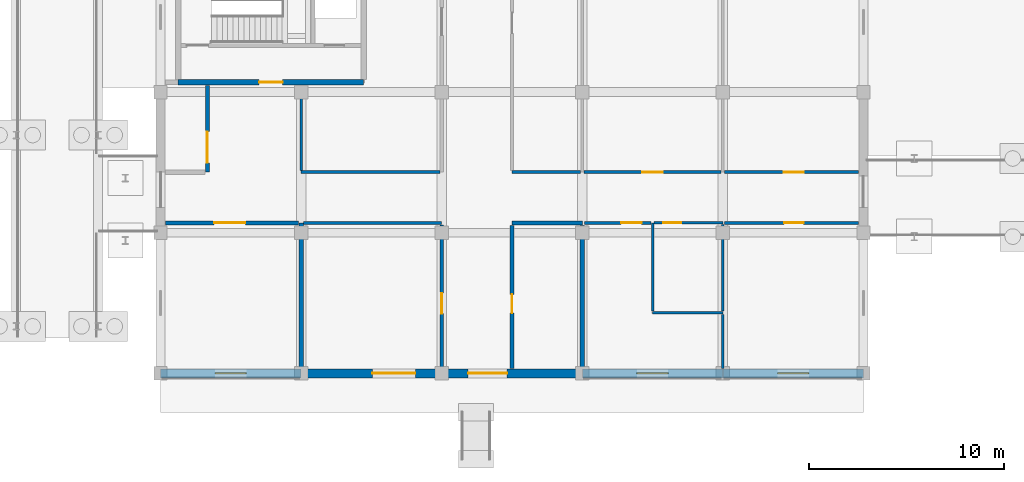
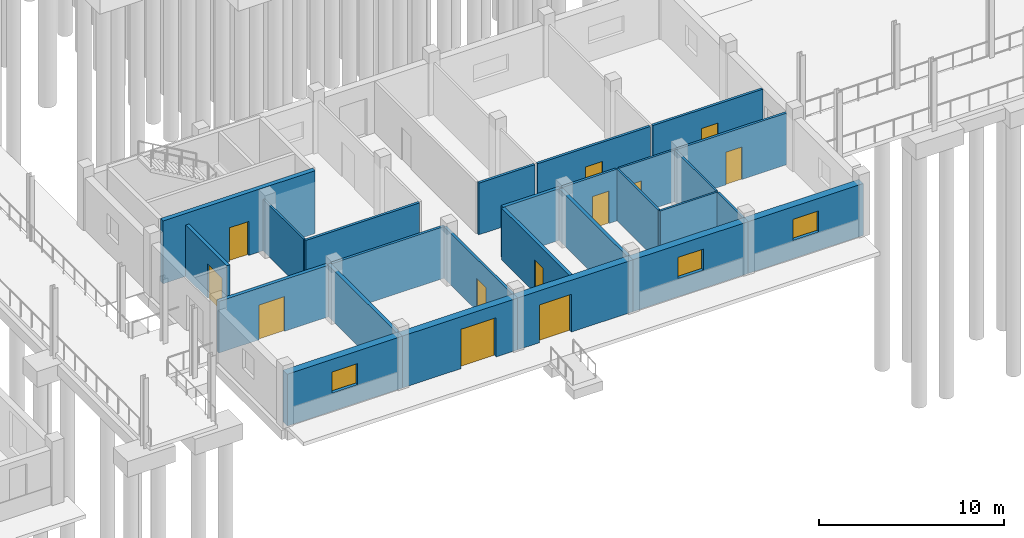
# One storey, part 75 of 98: 26 walls, 12 doors, 3 windows, 15 openings.
"""IFC4 building model written with IfcOpenShell, lengths in metres."""

from ifc_helpers import new_model, si_unit, direction, frame, frame_2d, origin, place, context, subcontext, project, spatial, rectangle, extrude, material, layer, layer_set, type_object, element, fill, save


model = new_model("IFC4")

# Units and contexts
model_context = context("Model", 3, precision=1e-05, world=origin(), true_north=direction((0.0, 1.0)))
body_context = subcontext(model_context, "Body", "Model", "MODEL_VIEW")
ifc_project = project(units=[si_unit("LENGTHUNIT", "METRE"), si_unit("AREAUNIT", "SQUARE_METRE"), si_unit("VOLUMEUNIT", "CUBIC_METRE"), si_unit("PLANEANGLEUNIT", "RADIAN"), si_unit("MASSUNIT", "GRAM", prefix="KILO")], contexts=[model_context])

# Site, building, storey
site_placement = place(None, origin())
site = spatial("IfcSite", under=ifc_project, at=site_placement, CompositionType="ELEMENT")
building_placement = place(site_placement, origin())
building = spatial("IfcBuilding", under=site, at=building_placement, Name="Zornivar Specialist Clinic", CompositionType="ELEMENT")
storey_placement = place(building_placement, origin())
storey = spatial("IfcBuildingStorey", under=building, at=storey_placement, Name="L00", CompositionType="ELEMENT", Elevation=0.0)

# Wall, opening, window
ifc_material_1 = material(Name="Barium-shielded concrete C35/45", Category="concrete")
ifc_layer_1 = layer(ifc_material_1, 0.4599609375)
ifc_layer_set_1 = layer_set([ifc_layer_1], Name="Barium-shielded concrete C35/45")
wall_type_1 = type_object("IfcWallType", Name="EW-IMG-SHIELD-460", PredefinedType="SOLIDWALL", material=ifc_layer_set_1)
wall_1_placement = place(storey_placement, frame((57.60009765625, 0.0, 0.0), z_axis=(0.0, 0.0, 1.0), x_axis=(1.0, 0.0, 0.0)))
wall_1 = element("IfcWall", 1, at=wall_1_placement, inside=storey, type_object=wall_type_1, Name="ew:V3:L00:00", PredefinedType="SOLIDWALL", context=body_context, shape_type="SweptSolid", body=[
    extrude(rectangle(XDim=7.199951171875, YDim=0.4599609375, at=frame_2d((3.60009765625, 0.0))), origin(), (0.0, 0.0, 1.0), 3.429931640625),
])
opening_1_placement = place(wall_1_placement, frame((2.800048828125, 0.0, 1.199951171875)))
opening_1 = element("IfcOpeningElement", 2, at=opening_1_placement, cuts=wall_1, Name="Opening W-12", PredefinedType="OPENING", context=body_context, shape_type="SweptSolid", body=[
    extrude(rectangle(XDim=1.60009765625, YDim=1.39990234375, at=frame_2d((0.800048828125, 0.699951171875))), frame((0.0, 0.239990234375, 0.0), z_axis=(0.0, -1.0, 0.0), x_axis=(1.0, 0.0, 0.0)), (0.0, 0.0, 1.0), 0.47998046875),
])
ifc_material_2 = material(Name="Triple-Glazed Aluminium-Timber Window Glass", Category="wood")
window_type = type_object("IfcWindowType", Name="WIN-IMG-SOUTH-1600x1400", PartitioningType="SINGLE_PANEL", PredefinedType="WINDOW", material=ifc_material_2)
window_1_placement = place(opening_1_placement, origin())
window_1 = element("IfcWindow", 3, at=window_1_placement, inside=storey, type_object=window_type, Name="win:V3:L00:00", OverallHeight=1.39990234375, OverallWidth=1.60009765625, PartitioningType="SINGLE_PANEL", PredefinedType="WINDOW", context=body_context, shape_type="SweptSolid", body=[
    extrude(rectangle(XDim=1.60009765625, YDim=1.39990234375, at=frame_2d((0.800048828125, 0.699951171875))), frame((0.0, 0.030029296875, 0.0), z_axis=(0.0, -1.0, 0.0), x_axis=(1.0, 0.0, 0.0)), (0.0, 0.0, 1.0), 0.06005859375),
])
fill(opening_1, window_1)

# Wall, opening, door
wall_2_placement = place(storey_placement, frame((64.800048828125, 0.0, 0.0), z_axis=(0.0, 0.0, 1.0), x_axis=(1.0, 0.0, 0.0)))
wall_2 = element("IfcWall", 4, at=wall_2_placement, inside=storey, type_object=wall_type_1, Name="ew:V3:L00:01", PredefinedType="SOLIDWALL", context=body_context, shape_type="SweptSolid", body=[
    extrude(rectangle(XDim=7.199951171875, YDim=0.4599609375, at=frame_2d((3.60009765625, 0.0))), origin(), (0.0, 0.0, 1.0), 3.429931640625),
])
opening_2_placement = place(wall_2_placement, frame((3.64990234375, 0.0, 0.0)))
opening_2 = element("IfcOpeningElement", 5, at=opening_2_placement, cuts=wall_2, Name="Opening ED-01", PredefinedType="OPENING", context=body_context, shape_type="SweptSolid", body=[
    extrude(rectangle(XDim=2.199951171875, YDim=2.60009765625, at=frame_2d((1.10009765625, 1.300048828125))), frame((0.0, 0.239990234375, 0.0), z_axis=(0.0, -1.0, 0.0), x_axis=(1.0, 0.0, 0.0)), (0.0, 0.0, 1.0), 0.47998046875),
])
ifc_material_3 = material(Name="Thermally Broken Glazed Aluminium Door", Category="aluminium")
door_type_1 = type_object("IfcDoorType", Name="ED-MAIN-2200x2600", OperationType="NOTDEFINED", PredefinedType="DOOR", material=ifc_material_3)
door_1_placement = place(opening_2_placement, origin())
door_1 = element("IfcDoor", 6, at=door_1_placement, inside=storey, type_object=door_type_1, Name="door:V3:L00:01", OperationType="DOUBLE_DOOR_SINGLE_SWING", OverallHeight=2.60009765625, OverallWidth=2.199951171875, PredefinedType="DOOR", context=body_context, shape_type="SweptSolid", body=[
    extrude(rectangle(XDim=2.199951171875, YDim=2.60009765625, at=frame_2d((1.10009765625, 1.300048828125))), frame((0.0, 0.02490234375, 0.0), z_axis=(0.0, -1.0, 0.0), x_axis=(1.0, 0.0, 0.0)), (0.0, 0.0, 1.0), 0.050048828125),
])
fill(opening_2, door_1)

wall_3_placement = place(storey_placement, frame((72.0, 0.0, 0.0), z_axis=(0.0, 0.0, 1.0), x_axis=(1.0, 0.0, 0.0)))
wall_3 = element("IfcWall", 7, at=wall_3_placement, inside=storey, type_object=wall_type_1, Name="ew:V3:L00:02", PredefinedType="SOLIDWALL", context=body_context, shape_type="SweptSolid", body=[
    extrude(rectangle(XDim=7.199951171875, YDim=0.4599609375, at=frame_2d((3.60009765625, 0.0))), origin(), (0.0, 0.0, 1.0), 3.429931640625),
])
opening_3_placement = place(wall_3_placement, frame((1.35009765625, 0.0, 0.0)))
opening_3 = element("IfcOpeningElement", 8, at=opening_3_placement, cuts=wall_3, Name="Opening ED-02", PredefinedType="OPENING", context=body_context, shape_type="SweptSolid", body=[
    extrude(rectangle(XDim=2.0, YDim=2.5, at=frame_2d((1.0, 1.25))), frame((0.0, 0.239990234375, 0.0), z_axis=(0.0, -1.0, 0.0), x_axis=(1.0, 0.0, 0.0)), (0.0, 0.0, 1.0), 0.47998046875),
])
ifc_material_4 = material(Name="Thermally Broken Glazed Aluminium Door", Category="aluminium")
door_type_2 = type_object("IfcDoorType", Name="ED-PORTAL-2000x2500", OperationType="NOTDEFINED", PredefinedType="DOOR", material=ifc_material_4)
door_2_placement = place(opening_3_placement, frame((2.0, 0.0, 0.0), z_axis=(0.0, 0.0, 1.0), x_axis=(-1.0, 0.0, 0.0)))
door_2 = element("IfcDoor", 9, at=door_2_placement, inside=storey, type_object=door_type_2, Name="door:V3:L00:02", OperationType="DOUBLE_DOOR_SINGLE_SWING", OverallHeight=2.5, OverallWidth=2.0, PredefinedType="DOOR", context=body_context, shape_type="SweptSolid", body=[
    extrude(rectangle(XDim=2.0, YDim=2.5, at=frame_2d((1.0, 1.25))), frame((0.0, 0.02490234375, 0.0), z_axis=(0.0, -1.0, 0.0), x_axis=(1.0, 0.0, 0.0)), (0.0, 0.0, 1.0), 0.050048828125),
])
fill(opening_3, door_2)

# Wall, opening, window
wall_4_placement = place(storey_placement, frame((79.199951171875, 0.0, 0.0), z_axis=(0.0, 0.0, 1.0), x_axis=(1.0, 0.0, 0.0)))
wall_4 = element("IfcWall", 10, at=wall_4_placement, inside=storey, type_object=wall_type_1, Name="ew:V3:L00:03", PredefinedType="SOLIDWALL", context=body_context, shape_type="SweptSolid", body=[
    extrude(rectangle(XDim=7.199951171875, YDim=0.4599609375, at=frame_2d((3.60009765625, 0.0))), origin(), (0.0, 0.0, 1.0), 3.429931640625),
])
opening_4_placement = place(wall_4_placement, frame((2.800048828125, 0.0, 1.199951171875)))
opening_4 = element("IfcOpeningElement", 11, at=opening_4_placement, cuts=wall_4, Name="Opening W-12", PredefinedType="OPENING", context=body_context, shape_type="SweptSolid", body=[
    extrude(rectangle(XDim=1.60009765625, YDim=1.39990234375, at=frame_2d((0.800048828125, 0.699951171875))), frame((0.0, 0.239990234375, 0.0), z_axis=(0.0, -1.0, 0.0), x_axis=(1.0, 0.0, 0.0)), (0.0, 0.0, 1.0), 0.47998046875),
])
window_2_placement = place(opening_4_placement, origin())
window_2 = element("IfcWindow", 12, at=window_2_placement, inside=storey, type_object=window_type, Name="win:V3:L00:03", OverallHeight=1.39990234375, OverallWidth=1.60009765625, PartitioningType="SINGLE_PANEL", PredefinedType="WINDOW", context=body_context, shape_type="SweptSolid", body=[
    extrude(rectangle(XDim=1.60009765625, YDim=1.39990234375, at=frame_2d((0.800048828125, 0.699951171875))), frame((0.0, 0.030029296875, 0.0), z_axis=(0.0, -1.0, 0.0), x_axis=(1.0, 0.0, 0.0)), (0.0, 0.0, 1.0), 0.06005859375),
])
fill(opening_4, window_2)

wall_5_placement = place(storey_placement, frame((86.39990234375, 0.0, 0.0), z_axis=(0.0, 0.0, 1.0), x_axis=(1.0, 0.0, 0.0)))
wall_5 = element("IfcWall", 13, at=wall_5_placement, inside=storey, type_object=wall_type_1, Name="ew:V3:L00:04", PredefinedType="SOLIDWALL", context=body_context, shape_type="SweptSolid", body=[
    extrude(rectangle(XDim=7.2001953125, YDim=0.4599609375, at=frame_2d((3.60009765625, 0.0))), origin(), (0.0, 0.0, 1.0), 3.429931640625),
])
opening_5_placement = place(wall_5_placement, frame((2.800048828125, 0.0, 1.199951171875)))
opening_5 = element("IfcOpeningElement", 14, at=opening_5_placement, cuts=wall_5, Name="Opening W-12", PredefinedType="OPENING", context=body_context, shape_type="SweptSolid", body=[
    extrude(rectangle(XDim=1.60009765625, YDim=1.39990234375, at=frame_2d((0.800048828125, 0.699951171875))), frame((0.0, 0.239990234375, 0.0), z_axis=(0.0, -1.0, 0.0), x_axis=(1.0, 0.0, 0.0)), (0.0, 0.0, 1.0), 0.47998046875),
])
window_3_placement = place(opening_5_placement, origin())
window_3 = element("IfcWindow", 15, at=window_3_placement, inside=storey, type_object=window_type, Name="win:V3:L00:04", OverallHeight=1.39990234375, OverallWidth=1.60009765625, PartitioningType="SINGLE_PANEL", PredefinedType="WINDOW", context=body_context, shape_type="SweptSolid", body=[
    extrude(rectangle(XDim=1.60009765625, YDim=1.39990234375, at=frame_2d((0.800048828125, 0.699951171875))), frame((0.0, 0.030029296875, 0.0), z_axis=(0.0, -1.0, 0.0), x_axis=(1.0, 0.0, 0.0)), (0.0, 0.0, 1.0), 0.06005859375),
])
fill(opening_5, window_3)

# Walls
ifc_material_5 = material(Name="Acoustic Clinical Stud Partition")
ifc_layer_2 = layer(ifc_material_5, 0.139892578125)
ifc_layer_set_2 = layer_set([ifc_layer_2], Name="Acoustic Clinical Stud Partition")
wall_type_2 = type_object("IfcWallType", Name="IW-CLIN-140", PredefinedType="PARTITIONING", material=ifc_layer_set_2)
wall_6_placement = place(storey_placement, frame((86.39990234375, 3.02099609375, 0.0), z_axis=(0.0, 0.0, 1.0), x_axis=(0.0, -1.0, 0.0)))
element("IfcWall", 16, at=wall_6_placement, inside=storey, type_object=wall_type_2, Name="iw:L00:133", PredefinedType="PARTITIONING", context=body_context, shape_type="SweptSolid", body=[
    extrude(rectangle(XDim=2.77587890625, YDim=0.139892578125, at=frame_2d((1.387939453125, 0.0))), origin(), (0.0, 0.0, 1.0), 3.409912109375),
])
ifc_material_6 = material(Name="Gypsum Fire-Rated Double Stud Partition")
ifc_layer_3 = layer(ifc_material_6, 0.159912109375)
ifc_layer_set_3 = layer_set([ifc_layer_3], Name="Gypsum Fire-Rated Double Stud Partition")
wall_type_3 = type_object("IfcWallType", Name="IW-CORR-EI60-160", PredefinedType="PARTITIONING", material=ifc_layer_set_3)
wall_7_placement = place(storey_placement, frame((64.924072265625, 7.699951171875, 0.0), z_axis=(0.0, 0.0, 1.0), x_axis=(1.0, 0.0, 0.0)))
element("IfcWall", 17, at=wall_7_placement, inside=storey, type_object=wall_type_3, Name="iw:L00:117", PredefinedType="PARTITIONING", context=body_context, shape_type="SweptSolid", body=[
    extrude(rectangle(XDim=7.075927734375, YDim=0.159912109375, at=frame_2d((3.5380859375, 0.0))), origin(), (0.0, 0.0, 1.0), 3.409912109375),
])

# Wall, opening, door
wall_8_placement = place(storey_placement, frame((72.0, 7.60595703125, 0.0), z_axis=(0.0, 0.0, 1.0), x_axis=(0.0, -1.0, 0.0)))
wall_8 = element("IfcWall", 18, at=wall_8_placement, inside=storey, type_object=wall_type_3, Name="iw:L00:118", PredefinedType="PARTITIONING", context=body_context, shape_type="SweptSolid", body=[
    extrude(rectangle(XDim=7.36083984375, YDim=0.159912109375, at=frame_2d((3.680419921875, 0.0))), origin(), (0.0, 0.0, 1.0), 3.409912109375),
])
opening_6_placement = place(wall_8_placement, frame((3.50390625, 0.0, 0.0)))
opening_6 = element("IfcOpeningElement", 19, at=opening_6_placement, cuts=wall_8, Name="Opening ID-03", PredefinedType="OPENING", context=body_context, shape_type="SweptSolid", body=[
    extrude(rectangle(XDim=1.050048828125, YDim=2.14990234375, at=frame_2d((0.52490234375, 1.074951171875))), frame((0.0, 0.08984375, 0.0), z_axis=(0.0, -1.0, 0.0), x_axis=(1.0, 0.0, 0.0)), (0.0, 0.0, 1.0), 0.179931640625),
])
ifc_material_7 = material(Name="Solid-Core Hygienic Laminate Timber Door", Category="wood")
door_type_3 = type_object("IfcDoorType", Name="ID-CONS-1050x2150", OperationType="NOTDEFINED", PredefinedType="DOOR", material=ifc_material_7)
door_3_placement = place(opening_6_placement, origin())
door_3 = element("IfcDoor", 20, at=door_3_placement, inside=storey, type_object=door_type_3, Name="door:space:V3:L00:rm:02", OperationType="SINGLE_SWING_RIGHT", OverallHeight=2.14990234375, OverallWidth=1.050048828125, PredefinedType="DOOR", context=body_context, shape_type="SweptSolid", body=[
    extrude(rectangle(XDim=1.050048828125, YDim=2.14990234375, at=frame_2d((0.52490234375, 1.074951171875))), frame((0.0, 0.02490234375, 0.0), z_axis=(0.0, -1.0, 0.0), x_axis=(1.0, 0.0, 0.0)), (0.0, 0.0, 1.0), 0.050048828125),
])
fill(opening_6, door_3)

# Walls
wall_9_placement = place(storey_placement, frame((71.906005859375, 10.300048828125, 0.0), z_axis=(0.0, 0.0, 1.0), x_axis=(-1.0, 0.0, 0.0)))
element("IfcWall", 21, at=wall_9_placement, inside=storey, type_object=wall_type_3, Name="iw:L00:120", PredefinedType="PARTITIONING", context=body_context, shape_type="SweptSolid", body=[
    extrude(rectangle(XDim=7.10595703125, YDim=0.159912109375, at=frame_2d((3.552978515625, 0.0))), origin(), (0.0, 0.0, 1.0), 3.409912109375),
])
wall_10_placement = place(storey_placement, frame((79.115966796875, 10.300048828125, 0.0), z_axis=(0.0, 0.0, 1.0), x_axis=(-1.0, 0.0, 0.0)))
element("IfcWall", 22, at=wall_10_placement, inside=storey, type_object=wall_type_3, Name="iw:L00:127", PredefinedType="PARTITIONING", context=body_context, shape_type="SweptSolid", body=[
    extrude(rectangle(XDim=3.515869140625, YDim=0.159912109375, at=frame_2d((1.7578125, 0.0))), origin(), (0.0, 0.0, 1.0), 3.409912109375),
])

# Wall, opening, door
wall_11_placement = place(storey_placement, frame((79.319091796875, 7.699951171875, 0.0), z_axis=(0.0, 0.0, 1.0), x_axis=(1.0, 0.0, 0.0)))
wall_11 = element("IfcWall", 23, at=wall_11_placement, inside=storey, type_object=wall_type_3, Name="iw:L00:134", PredefinedType="PARTITIONING", context=body_context, shape_type="SweptSolid", body=[
    extrude(rectangle(XDim=3.40185546875, YDim=0.159912109375, at=frame_2d((1.700927734375, 0.0))), origin(), (0.0, 0.0, 1.0), 3.409912109375),
])
opening_7_placement = place(wall_11_placement, frame((1.8720703125, 0.0, 0.0)))
opening_7 = element("IfcOpeningElement", 24, at=opening_7_placement, cuts=wall_11, Name="Opening ID-03", PredefinedType="OPENING", context=body_context, shape_type="SweptSolid", body=[
    extrude(rectangle(XDim=1.050048828125, YDim=2.14990234375, at=frame_2d((0.52490234375, 1.074951171875))), frame((0.0, 0.08984375, 0.0), z_axis=(0.0, -1.0, 0.0), x_axis=(1.0, 0.0, 0.0)), (0.0, 0.0, 1.0), 0.179931640625),
])
door_4_placement = place(opening_7_placement, origin())
door_4 = element("IfcDoor", 25, at=door_4_placement, inside=storey, type_object=door_type_3, Name="door:space:V3:L00:rm:06b", OperationType="SINGLE_SWING_LEFT", OverallHeight=2.14990234375, OverallWidth=1.050048828125, PredefinedType="DOOR", context=body_context, shape_type="SweptSolid", body=[
    extrude(rectangle(XDim=1.050048828125, YDim=2.14990234375, at=frame_2d((0.52490234375, 1.074951171875))), frame((0.0, 0.02490234375, 0.0), z_axis=(0.0, -1.0, 0.0), x_axis=(1.0, 0.0, 0.0)), (0.0, 0.0, 1.0), 0.050048828125),
])
fill(opening_7, door_4)

wall_12_placement = place(storey_placement, frame((86.31591796875, 10.300048828125, 0.0), z_axis=(0.0, 0.0, 1.0), x_axis=(-1.0, 0.0, 0.0)))
wall_12 = element("IfcWall", 26, at=wall_12_placement, inside=storey, type_object=wall_type_3, Name="iw:L00:136", PredefinedType="PARTITIONING", context=body_context, shape_type="SweptSolid", body=[
    extrude(rectangle(XDim=7.031982421875, YDim=0.159912109375, at=frame_2d((3.51611328125, 0.0))), origin(), (0.0, 0.0, 1.0), 3.409912109375),
])
opening_8_placement = place(wall_12_placement, frame((2.990966796875, 0.0, 0.0)))
opening_8 = element("IfcOpeningElement", 27, at=opening_8_placement, cuts=wall_12, Name="Opening ID-03", PredefinedType="OPENING", context=body_context, shape_type="SweptSolid", body=[
    extrude(rectangle(XDim=1.050048828125, YDim=2.14990234375, at=frame_2d((0.52490234375, 1.074951171875))), frame((0.0, 0.08984375, 0.0), z_axis=(0.0, -1.0, 0.0), x_axis=(1.0, 0.0, 0.0)), (0.0, 0.0, 1.0), 0.179931640625),
])
door_5_placement = place(opening_8_placement, origin())
door_5 = element("IfcDoor", 28, at=door_5_placement, inside=storey, type_object=door_type_3, Name="door:space:V3:L00:rm:08", OperationType="SINGLE_SWING_RIGHT", OverallHeight=2.14990234375, OverallWidth=1.050048828125, PredefinedType="DOOR", context=body_context, shape_type="SweptSolid", body=[
    extrude(rectangle(XDim=1.050048828125, YDim=2.14990234375, at=frame_2d((0.52490234375, 1.074951171875))), frame((0.0, 0.02490234375, 0.0), z_axis=(0.0, -1.0, 0.0), x_axis=(1.0, 0.0, 0.0)), (0.0, 0.0, 1.0), 0.050048828125),
])
fill(opening_8, door_5)

wall_13_placement = place(storey_placement, frame((86.47900390625, 7.699951171875, 0.0), z_axis=(0.0, 0.0, 1.0), x_axis=(1.0, 0.0, 0.0)))
wall_13 = element("IfcWall", 29, at=wall_13_placement, inside=storey, type_object=wall_type_3, Name="iw:L00:137", PredefinedType="PARTITIONING", context=body_context, shape_type="SweptSolid", body=[
    extrude(rectangle(XDim=6.8759765625, YDim=0.159912109375, at=frame_2d((3.43798828125, 0.0))), origin(), (0.0, 0.0, 1.0), 3.409912109375),
])
opening_9_placement = place(wall_13_placement, frame((3.054931640625, 0.0, 0.0)))
opening_9 = element("IfcOpeningElement", 30, at=opening_9_placement, cuts=wall_13, Name="Opening ID-04", PredefinedType="OPENING", context=body_context, shape_type="SweptSolid", body=[
    extrude(rectangle(XDim=1.0, YDim=2.14990234375, at=frame_2d((0.5, 1.074951171875))), frame((0.0, 0.08984375, 0.0), z_axis=(0.0, -1.0, 0.0), x_axis=(1.0, 0.0, 0.0)), (0.0, 0.0, 1.0), 0.179931640625),
])
ifc_material_8 = material(Name="Solid-Core Hygienic Laminate Timber Door", Category="wood")
door_type_4 = type_object("IfcDoorType", Name="ID-EXAM-1000x2150", OperationType="NOTDEFINED", PredefinedType="DOOR", material=ifc_material_8)
door_6_placement = place(opening_9_placement, origin())
door_6 = element("IfcDoor", 31, at=door_6_placement, inside=storey, type_object=door_type_4, Name="door:space:V3:L00:rm:09", OperationType="SINGLE_SWING_LEFT", OverallHeight=2.14990234375, OverallWidth=1.0, PredefinedType="DOOR", context=body_context, shape_type="SweptSolid", body=[
    extrude(rectangle(XDim=1.0, YDim=2.14990234375, at=frame_2d((0.5, 1.074951171875))), frame((0.0, 0.02490234375, 0.0), z_axis=(0.0, -1.0, 0.0), x_axis=(1.0, 0.0, 0.0)), (0.0, 0.0, 1.0), 0.050048828125),
])
fill(opening_9, door_6)

wall_14_placement = place(storey_placement, frame((93.35498046875, 10.300048828125, 0.0), z_axis=(0.0, 0.0, 1.0), x_axis=(-1.0, 0.0, 0.0)))
wall_14 = element("IfcWall", 32, at=wall_14_placement, inside=storey, type_object=wall_type_3, Name="iw:L00:138", PredefinedType="PARTITIONING", context=body_context, shape_type="SweptSolid", body=[
    extrude(rectangle(XDim=6.87109375, YDim=0.159912109375, at=frame_2d((3.435546875, 0.0))), origin(), (0.0, 0.0, 1.0), 3.409912109375),
])
opening_10_placement = place(wall_14_placement, frame((2.80908203125, 0.0, 0.0)))
opening_10 = element("IfcOpeningElement", 33, at=opening_10_placement, cuts=wall_14, Name="Opening ID-14", PredefinedType="OPENING", context=body_context, shape_type="SweptSolid", body=[
    extrude(rectangle(XDim=1.02001953125, YDim=2.14990234375, at=frame_2d((0.510009765625, 1.074951171875))), frame((0.0, 0.08984375, 0.0), z_axis=(0.0, -1.0, 0.0), x_axis=(1.0, 0.0, 0.0)), (0.0, 0.0, 1.0), 0.179931640625),
])
ifc_material_9 = material(Name="Solid-Core Hygienic Laminate Timber Door", Category="wood")
door_type_5 = type_object("IfcDoorType", Name="ID-OFFICE-1020x2150", OperationType="NOTDEFINED", PredefinedType="DOOR", material=ifc_material_9)
door_7_placement = place(opening_10_placement, origin())
door_7 = element("IfcDoor", 34, at=door_7_placement, inside=storey, type_object=door_type_5, Name="door:space:V3:L00:rm:10", OperationType="SINGLE_SWING_RIGHT", OverallHeight=2.14990234375, OverallWidth=1.02001953125, PredefinedType="DOOR", context=body_context, shape_type="SweptSolid", body=[
    extrude(rectangle(XDim=1.02001953125, YDim=2.14990234375, at=frame_2d((0.510009765625, 1.074951171875))), frame((0.0, 0.02490234375, 0.0), z_axis=(0.0, -1.0, 0.0), x_axis=(1.0, 0.0, 0.0)), (0.0, 0.0, 1.0), 0.050048828125),
])
fill(opening_10, door_7)

# Walls
ifc_material_10 = material(Name="Acoustic Glazed Consultation Partition")
ifc_layer_4 = layer(ifc_material_10, 0.1201171875)
ifc_layer_set_4 = layer_set([ifc_layer_4], Name="Acoustic Glazed Consultation Partition")
wall_type_4 = type_object("IfcWallType", Name="IW-GLAZ-120", PredefinedType="PARTITIONING", material=ifc_layer_set_4)
wall_15_placement = place(storey_placement, frame((64.800048828125, 10.39404296875, 0.0), z_axis=(0.0, 0.0, 1.0), x_axis=(0.0, 1.0, 0.0)))
element("IfcWall", 35, at=wall_15_placement, inside=storey, type_object=wall_type_4, Name="iw:L00:121", PredefinedType="PARTITIONING", context=body_context, shape_type="SweptSolid", body=[
    extrude(rectangle(XDim=4.35107421875, YDim=0.1201171875, at=frame_2d((2.175537109375, 0.0))), origin(), (0.0, 0.0, 1.0), 3.409912109375),
])
ifc_material_11 = material(Name="Waterproofed Hydrotherapy and Changing Partition")
ifc_layer_5 = layer(ifc_material_11, 0.2099609375)
ifc_layer_set_5 = layer_set([ifc_layer_5], Name="Waterproofed Hydrotherapy and Changing Partition")
wall_type_5 = type_object("IfcWallType", Name="IW-HYDRO-WET-210", PredefinedType="PARTITIONING", material=ifc_layer_set_5)
wall_16_placement = place(storey_placement, frame((75.60009765625, 7.699951171875, 0.0), z_axis=(0.0, 0.0, 1.0), x_axis=(1.0, 0.0, 0.0)))
element("IfcWall", 36, at=wall_16_placement, inside=storey, type_object=wall_type_5, Name="iw:L00:123", PredefinedType="PARTITIONING", context=body_context, shape_type="SweptSolid", body=[
    extrude(rectangle(XDim=3.599853515625, YDim=0.2099609375, at=frame_2d((1.7998046875, 0.0))), origin(), (0.0, 0.0, 1.0), 3.409912109375),
])
wall_17_placement = place(storey_placement, frame((79.199951171875, 7.5810546875, 0.0), z_axis=(0.0, 0.0, 1.0), x_axis=(0.0, -1.0, 0.0)))
element("IfcWall", 37, at=wall_17_placement, inside=storey, type_object=wall_type_5, Name="iw:L00:124", PredefinedType="PARTITIONING", context=body_context, shape_type="SweptSolid", body=[
    extrude(rectangle(XDim=7.3359375, YDim=0.2099609375, at=frame_2d((3.66796875, 0.0))), origin(), (0.0, 0.0, 1.0), 3.409912109375),
])

# Wall, opening, door
wall_18_placement = place(storey_placement, frame((75.60009765625, 0.2451171875, 0.0), z_axis=(0.0, 0.0, 1.0), x_axis=(0.0, 1.0, 0.0)))
wall_18 = element("IfcWall", 38, at=wall_18_placement, inside=storey, type_object=wall_type_5, Name="iw:L00:125", PredefinedType="PARTITIONING", context=body_context, shape_type="SweptSolid", body=[
    extrude(rectangle(XDim=7.3359375, YDim=0.2099609375, at=frame_2d((3.66796875, 0.0))), origin(), (0.0, 0.0, 1.0), 3.409912109375),
])
opening_11_placement = place(wall_18_placement, frame((2.839111328125, 0.0, 0.0)))
opening_11 = element("IfcOpeningElement", 39, at=opening_11_placement, cuts=wall_18, Name="Opening ID-16", PredefinedType="OPENING", context=body_context, shape_type="SweptSolid", body=[
    extrude(rectangle(XDim=0.949951171875, YDim=2.14990234375, at=frame_2d((0.47509765625, 1.074951171875))), frame((0.0, 0.114990234375, 0.0), z_axis=(0.0, -1.0, 0.0), x_axis=(1.0, 0.0, 0.0)), (0.0, 0.0, 1.0), 0.22998046875),
])
ifc_material_12 = material(Name="Solid-Core Hygienic Laminate Timber Door", Category="wood")
door_type_6 = type_object("IfcDoorType", Name="ID-CHANG-0950x2150", OperationType="NOTDEFINED", PredefinedType="DOOR", material=ifc_material_12)
door_8_placement = place(opening_11_placement, origin())
door_8 = element("IfcDoor", 40, at=door_8_placement, inside=storey, type_object=door_type_6, Name="door:space:V3:L00:rm:04", OperationType="SINGLE_SWING_RIGHT", OverallHeight=2.14990234375, OverallWidth=0.949951171875, PredefinedType="DOOR", context=body_context, shape_type="SweptSolid", body=[
    extrude(rectangle(XDim=0.949951171875, YDim=2.14990234375, at=frame_2d((0.47509765625, 1.074951171875))), frame((0.0, 0.02490234375, 0.0), z_axis=(0.0, -1.0, 0.0), x_axis=(1.0, 0.0, 0.0)), (0.0, 0.0, 1.0), 0.050048828125),
])
fill(opening_11, door_8)

# Wall
ifc_material_13 = material(Name="Barium-shielded concrete C35/45", Category="concrete")
ifc_layer_6 = layer(ifc_material_13, 0.219970703125)
ifc_layer_set_6 = layer_set([ifc_layer_6], Name="Barium-shielded concrete C35/45")
wall_type_6 = type_object("IfcWallType", Name="IW-IMG-SHIELD-220", PredefinedType="SOLIDWALL", material=ifc_layer_set_6)
wall_19_placement = place(storey_placement, frame((64.800048828125, 7.699951171875, 0.0), z_axis=(0.0, 0.0, 1.0), x_axis=(0.0, -1.0, 0.0)))
element("IfcWall", 41, at=wall_19_placement, inside=storey, type_object=wall_type_6, Name="iw:L00:112", PredefinedType="SOLIDWALL", context=body_context, shape_type="SweptSolid", body=[
    extrude(rectangle(XDim=7.454833984375, YDim=0.219970703125, at=frame_2d((3.7275390625, 0.0))), origin(), (0.0, 0.0, 1.0), 3.409912109375),
])

# Wall, opening, door
wall_20_placement = place(storey_placement, frame((57.844970703125, 7.699951171875, 0.0), z_axis=(0.0, 0.0, 1.0), x_axis=(1.0, 0.0, 0.0)))
wall_20 = element("IfcWall", 42, at=wall_20_placement, inside=storey, type_object=wall_type_6, Name="iw:L00:113", PredefinedType="SOLIDWALL", context=body_context, shape_type="SweptSolid", body=[
    extrude(rectangle(XDim=6.8310546875, YDim=0.219970703125, at=frame_2d((3.41552734375, 0.0))), origin(), (0.0, 0.0, 1.0), 3.409912109375),
])
opening_12_placement = place(wall_20_placement, frame((2.5029296875, 0.0, 0.0)))
opening_12 = element("IfcOpeningElement", 43, at=opening_12_placement, cuts=wall_20, Name="Opening ID-02", PredefinedType="OPENING", context=body_context, shape_type="SweptSolid", body=[
    extrude(rectangle(XDim=1.60009765625, YDim=2.300048828125, at=frame_2d((0.800048828125, 1.14990234375))), frame((0.0, 0.119873046875, 0.0), z_axis=(0.0, -1.0, 0.0), x_axis=(1.0, 0.0, 0.0)), (0.0, 0.0, 1.0), 0.239990234375),
])
ifc_material_14 = material(Name="Solid-Core Hygienic Laminate Timber Door", Category="wood")
door_type_7 = type_object("IfcDoorType", Name="ID-IMG-1600x2300", OperationType="NOTDEFINED", PredefinedType="DOOR", material=ifc_material_14)
door_9_placement = place(opening_12_placement, origin())
door_9 = element("IfcDoor", 44, at=door_9_placement, inside=storey, type_object=door_type_7, Name="door:space:V3:L00:rm:00", OperationType="DOUBLE_DOOR_SINGLE_SWING", OverallHeight=2.300048828125, OverallWidth=1.60009765625, PredefinedType="DOOR", context=body_context, shape_type="SweptSolid", body=[
    extrude(rectangle(XDim=1.60009765625, YDim=2.300048828125, at=frame_2d((0.800048828125, 1.14990234375))), frame((0.0, 0.02490234375, 0.0), z_axis=(0.0, -1.0, 0.0), x_axis=(1.0, 0.0, 0.0)), (0.0, 0.0, 1.0), 0.050048828125),
])
fill(opening_12, door_9)

wall_21_placement = place(storey_placement, frame((60.0, 14.7451171875, 0.0), z_axis=(0.0, 0.0, 1.0), x_axis=(0.0, -1.0, 0.0)))
wall_21 = element("IfcWall", 45, at=wall_21_placement, inside=storey, type_object=wall_type_6, Name="iw:L00:115", PredefinedType="SOLIDWALL", context=body_context, shape_type="SweptSolid", body=[
    extrude(rectangle(XDim=4.445068359375, YDim=0.219970703125, at=frame_2d((2.22265625, 0.0))), origin(), (0.0, 0.0, 1.0), 3.409912109375),
])
opening_13_placement = place(wall_21_placement, frame((2.364990234375, 0.0, 0.0)))
opening_13 = element("IfcOpeningElement", 46, at=opening_13_placement, cuts=wall_21, Name="Opening ID-02", PredefinedType="OPENING", context=body_context, shape_type="SweptSolid", body=[
    extrude(rectangle(XDim=1.60009765625, YDim=2.300048828125, at=frame_2d((0.800048828125, 1.14990234375))), frame((0.0, 0.119873046875, 0.0), z_axis=(0.0, -1.0, 0.0), x_axis=(1.0, 0.0, 0.0)), (0.0, 0.0, 1.0), 0.239990234375),
])
door_10_placement = place(opening_13_placement, origin())
door_10 = element("IfcDoor", 47, at=door_10_placement, inside=storey, type_object=door_type_7, Name="door:space:V3:L00:rm:01", OperationType="DOUBLE_DOOR_SINGLE_SWING", OverallHeight=2.300048828125, OverallWidth=1.60009765625, PredefinedType="DOOR", context=body_context, shape_type="SweptSolid", body=[
    extrude(rectangle(XDim=1.60009765625, YDim=2.300048828125, at=frame_2d((0.800048828125, 1.14990234375))), frame((0.0, 0.02490234375, 0.0), z_axis=(0.0, -1.0, 0.0), x_axis=(1.0, 0.0, 0.0)), (0.0, 0.0, 1.0), 0.050048828125),
])
fill(opening_13, door_10)

# Walls
ifc_material_15 = material(Name="Moisture-Resistant Sanitary Partition")
ifc_layer_7 = layer(ifc_material_15, 0.1298828125)
ifc_layer_set_7 = layer_set([ifc_layer_7], Name="Moisture-Resistant Sanitary Partition")
wall_type_7 = type_object("IfcWallType", Name="IW-WET-130", PredefinedType="PARTITIONING", material=ifc_layer_set_7)
wall_22_placement = place(storey_placement, frame((86.39990234375, 3.10009765625, 0.0), z_axis=(0.0, 0.0, 1.0), x_axis=(-1.0, 0.0, 0.0)))
element("IfcWall", 48, at=wall_22_placement, inside=storey, type_object=wall_type_7, Name="iw:L00:129", PredefinedType="PARTITIONING", context=body_context, shape_type="SweptSolid", body=[
    extrude(rectangle(XDim=3.599853515625, YDim=0.1298828125, at=frame_2d((1.7998046875, 0.0))), origin(), (0.0, 0.0, 1.0), 3.409912109375),
])
wall_23_placement = place(storey_placement, frame((82.800048828125, 3.178955078125, 0.0), z_axis=(0.0, 0.0, 1.0), x_axis=(0.0, 1.0, 0.0)))
element("IfcWall", 49, at=wall_23_placement, inside=storey, type_object=wall_type_7, Name="iw:L00:130", PredefinedType="PARTITIONING", context=body_context, shape_type="SweptSolid", body=[
    extrude(rectangle(XDim=4.52099609375, YDim=0.1298828125, at=frame_2d((2.260498046875, 0.0))), origin(), (0.0, 0.0, 1.0), 3.409912109375),
])

# Wall, opening, door
wall_24_placement = place(storey_placement, frame((82.87890625, 7.699951171875, 0.0), z_axis=(0.0, 0.0, 1.0), x_axis=(1.0, 0.0, 0.0)))
wall_24 = element("IfcWall", 50, at=wall_24_placement, inside=storey, type_object=wall_type_7, Name="iw:L00:131", PredefinedType="PARTITIONING", context=body_context, shape_type="SweptSolid", body=[
    extrude(rectangle(XDim=3.52099609375, YDim=0.1298828125, at=frame_2d((1.760498046875, 0.0))), origin(), (0.0, 0.0, 1.0), 3.409912109375),
])
opening_14_placement = place(wall_24_placement, frame((0.47998046875, 0.0, 0.0)))
opening_14 = element("IfcOpeningElement", 51, at=opening_14_placement, cuts=wall_24, Name="Opening ID-08", PredefinedType="OPENING", context=body_context, shape_type="SweptSolid", body=[
    extrude(rectangle(XDim=0.89990234375, YDim=2.10009765625, at=frame_2d((0.449951171875, 1.050048828125))), frame((0.0, 0.074951171875, 0.0), z_axis=(0.0, -1.0, 0.0), x_axis=(1.0, 0.0, 0.0)), (0.0, 0.0, 1.0), 0.14990234375),
])
ifc_material_16 = material(Name="Solid-Core Hygienic Laminate Timber Door", Category="wood")
door_type_8 = type_object("IfcDoorType", Name="ID-WC-STD-0900x2100", OperationType="NOTDEFINED", PredefinedType="DOOR", material=ifc_material_16)
door_11_placement = place(opening_14_placement, origin())
door_11 = element("IfcDoor", 52, at=door_11_placement, inside=storey, type_object=door_type_8, Name="door:space:V3:L00:rm:06", OperationType="SINGLE_SWING_RIGHT", OverallHeight=2.10009765625, OverallWidth=0.89990234375, PredefinedType="DOOR", context=body_context, shape_type="SweptSolid", body=[
    extrude(rectangle(XDim=0.89990234375, YDim=2.10009765625, at=frame_2d((0.449951171875, 1.050048828125))), frame((0.0, 0.02490234375, 0.0), z_axis=(0.0, -1.0, 0.0), x_axis=(1.0, 0.0, 0.0)), (0.0, 0.0, 1.0), 0.050048828125),
])
fill(opening_14, door_11)

# Wall
wall_25_placement = place(storey_placement, frame((86.39990234375, 7.62109375, 0.0), z_axis=(0.0, 0.0, 1.0), x_axis=(0.0, -1.0, 0.0)))
element("IfcWall", 53, at=wall_25_placement, inside=storey, type_object=wall_type_7, Name="iw:L00:132", PredefinedType="PARTITIONING", context=body_context, shape_type="SweptSolid", body=[
    extrude(rectangle(XDim=4.442138671875, YDim=0.1298828125, at=frame_2d((2.22119140625, 0.0))), origin(), (0.0, 0.0, 1.0), 3.409912109375),
])

# Wall, opening, door
ifc_material_17 = material(Name="Concrete C35/45", Category="concrete")
ifc_layer_8 = layer(ifc_material_17, 0.280029296875)
ifc_layer_set_8 = layer_set([ifc_layer_8], Name="Concrete C35/45")
wall_type_8 = type_object("IfcWallType", Name="SW-CORE-280", PredefinedType="SHEAR", material=ifc_layer_set_8)
wall_26_placement = place(storey_placement, frame((58.5, 14.89990234375, 0.0), z_axis=(0.0, 0.0, 1.0), x_axis=(1.0, 0.0, 0.0)))
wall_26 = element("IfcWall", 54, at=wall_26_placement, inside=storey, type_object=wall_type_8, Name="sw:C5:L00:w0", PredefinedType="SHEAR", context=body_context, shape_type="SweptSolid", body=[
    extrude(rectangle(XDim=9.5, YDim=0.280029296875, at=frame_2d((4.75, 0.0))), origin(), (0.0, 0.0, 1.0), 4.14990234375),
])
opening_15_placement = place(wall_26_placement, frame((4.14990234375, 0.0, 0.0)))
opening_15 = element("IfcOpeningElement", 55, at=opening_15_placement, cuts=wall_26, Name="Opening FD-01", PredefinedType="OPENING", context=body_context, shape_type="SweptSolid", body=[
    extrude(rectangle(XDim=1.199951171875, YDim=2.25, at=frame_2d((0.60009765625, 1.125))), frame((0.0, 0.14990234375, 0.0), z_axis=(0.0, -1.0, 0.0), x_axis=(1.0, 0.0, 0.0)), (0.0, 0.0, 1.0), 0.300048828125),
])
ifc_material_18 = material(Name="Solid-Core Hygienic Laminate Timber Door", Category="wood")
door_type_9 = type_object("IfcDoorType", Name="FD-LOBBY-MAIN-1200x2250", OperationType="NOTDEFINED", PredefinedType="DOOR", material=ifc_material_18)
door_12_placement = place(opening_15_placement, origin())
door_12 = element("IfcDoor", 56, at=door_12_placement, inside=storey, type_object=door_type_9, Name="door:C5:L00:lob", OperationType="SINGLE_SWING_RIGHT", OverallHeight=2.25, OverallWidth=1.199951171875, PredefinedType="DOOR", context=body_context, shape_type="SweptSolid", body=[
    extrude(rectangle(XDim=1.199951171875, YDim=2.25, at=frame_2d((0.60009765625, 1.125))), frame((0.0, 0.02490234375, 0.0), z_axis=(0.0, -1.0, 0.0), x_axis=(1.0, 0.0, 0.0)), (0.0, 0.0, 1.0), 0.050048828125),
])
fill(opening_15, door_12)

save(model, "model.ifc")
